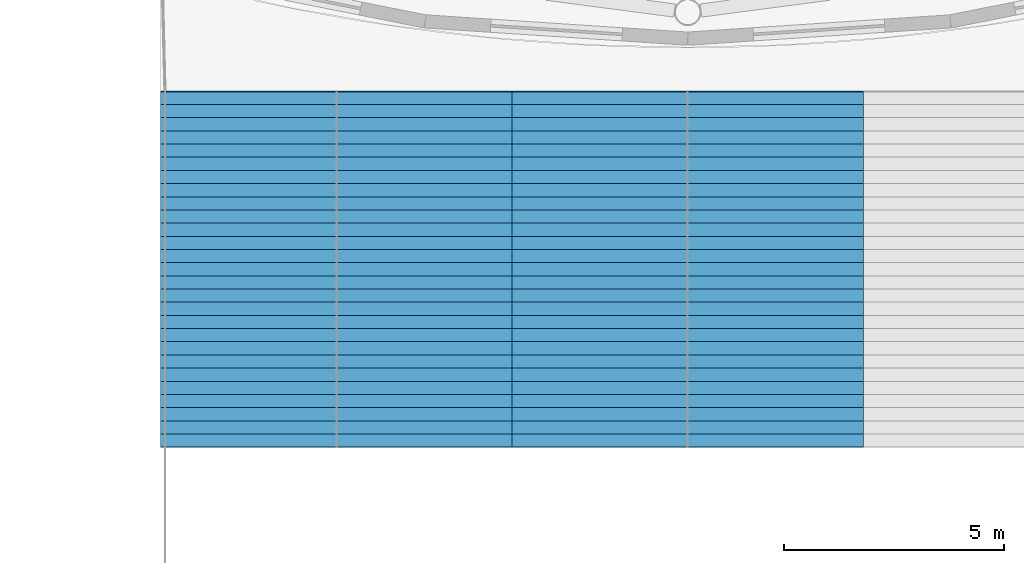
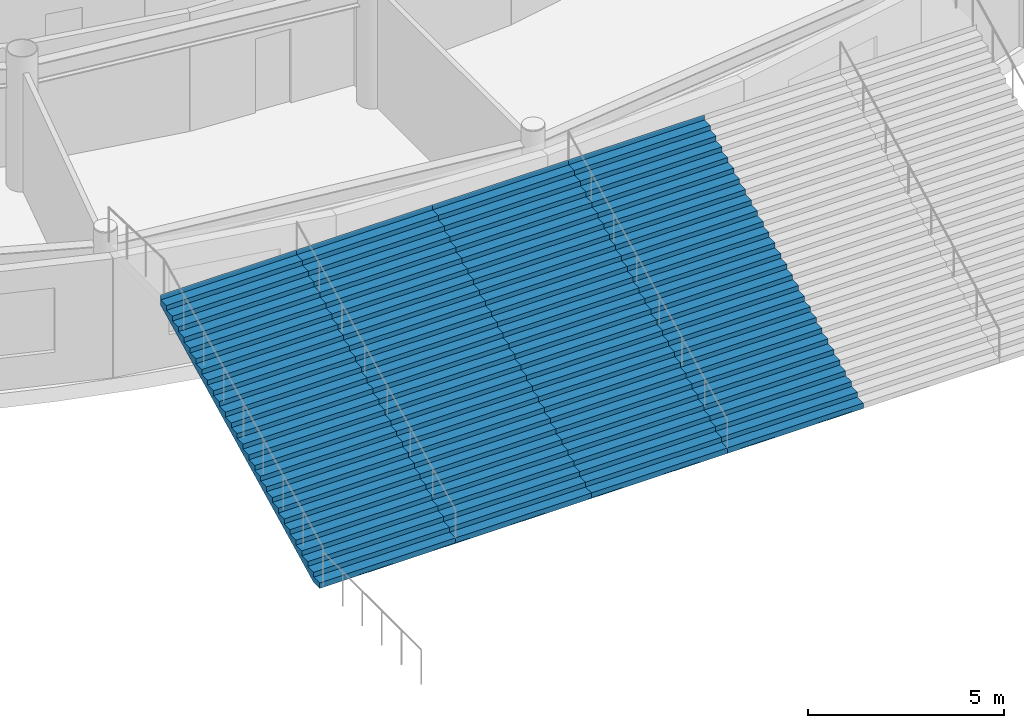
# One storey, part 25 of 29: 4 stair flights, 4 elements without a shape of their own.
"""IFC4 building model written with IfcOpenShell, lengths in metres."""

from ifc_helpers import new_model, si_unit, direction, frame, origin, place, context, subcontext, project, spatial, triangles, material, type_object, element, aggregate, save


model = new_model("IFC4")

# Units and contexts
model_context = context("Model", 3, precision=1e-05, world=origin(), true_north=direction((0.0, 1.0)))
body_context = subcontext(model_context, "Body", "Model", "MODEL_VIEW")
ifc_project = project(units=[si_unit("LENGTHUNIT", "METRE"), si_unit("AREAUNIT", "SQUARE_METRE"), si_unit("VOLUMEUNIT", "CUBIC_METRE"), si_unit("PLANEANGLEUNIT", "RADIAN"), si_unit("MASSUNIT", "GRAM", prefix="KILO")], contexts=[model_context])

# Site, building, storey
site_placement = place(None, origin())
site = spatial("IfcSite", under=ifc_project, at=site_placement, CompositionType="ELEMENT")
building_placement = place(site_placement, origin())
building = spatial("IfcBuilding", under=site, at=building_placement, Name="Maasbend Ring Residences", CompositionType="ELEMENT")
storey_placement = place(building_placement, frame((0.0, 0.0, 5.39990234375)))
storey = spatial("IfcBuildingStorey", under=building, at=storey_placement, Name="L01", CompositionType="ELEMENT", Elevation=5.39990234375)

# Stair, stair flight
ifc_material_1 = material(Name="Concrete C35/45", Category="concrete")
stair_type = type_object("IfcStairType", Name="ST-BROAD", PredefinedType="STRAIGHT_RUN_STAIR", material=ifc_material_1)
stair_1_placement = place(storey_placement, origin())
stair_1 = element("IfcStair", 1, at=stair_1_placement, inside=storey, type_object=stair_type, Name="Broad stair upper flight A", PredefinedType="STRAIGHT_RUN_STAIR")
ifc_material_2 = material(Name="Concrete C35/45", Category="concrete")
stair_flight_type = type_object("IfcStairFlightType", Name="ST-BROAD-FL", PredefinedType="STRAIGHT", material=ifc_material_2)
stair_flight_1_placement = place(storey_placement, frame((-10.0, -55.10009765625, 0.0), z_axis=(0.0, 0.0, 1.0), x_axis=(0.0, 1.0, 0.0)))
stair_flight_1 = element("IfcStairFlight", 2, at=stair_flight_1_placement, type_object=stair_flight_type, Name="ST-B flight 1", NumberOfRisers=28, NumberOfTreads=27, PredefinedType="STRAIGHT", RiserHeight=0.15, TreadLength=0.3, context=body_context, shape_type="Tessellation", body=[
    triangles([(0.298095703125, 2.0, -0.02001953125), (8.10302734375, 2.0, 3.88232421875), (8.10302734375, 2.0, 4.199951171875), (8.090087890625, 2.0, 4.050048828125), (7.800048828125, 2.0, 4.050048828125), (7.800048828125, 2.0, 3.89990234375), (7.5, 2.0, 3.89990234375), (7.5, 2.0, 3.75), (7.199951171875, 2.0, 3.75), (7.199951171875, 2.0, 3.60009765625), (6.89990234375, 2.0, 3.60009765625), (6.89990234375, 2.0, 3.449951171875), (6.60009765625, 2.0, 3.449951171875), (6.60009765625, 2.0, 3.300048828125), (6.300048828125, 2.0, 3.300048828125), (6.300048828125, 2.0, 3.14990234375), (6.0, 2.0, 3.14990234375), (6.0, 2.0, 3.0), (5.699951171875, 2.0, 3.0), (5.699951171875, 2.0, 2.85009765625), (5.39990234375, 2.0, 2.85009765625), (5.39990234375, 2.0, 2.699951171875), (5.10009765625, 2.0, 2.699951171875), (5.10009765625, 2.0, 2.550048828125), (4.800048828125, 2.0, 2.550048828125), (4.800048828125, 2.0, 2.39990234375), (4.5, 2.0, 2.39990234375), (4.5, 2.0, 2.25), (4.199951171875, 2.0, 2.25), (4.199951171875, 2.0, 2.10009765625), (3.89990234375, 2.0, 2.10009765625), (3.89990234375, 2.0, 1.949951171875), (3.60009765625, 2.0, 1.949951171875), (3.60009765625, 2.0, 1.800048828125), (3.300048828125, 2.0, 1.800048828125), (3.300048828125, 2.0, 1.64990234375), (3.0, 2.0, 1.64990234375), (3.0, 2.0, 1.5), (2.699951171875, 2.0, 1.5), (2.699951171875, 2.0, 1.35009765625), (2.39990234375, 2.0, 1.35009765625), (2.39990234375, 2.0, 1.199951171875), (2.10009765625, 2.0, 1.199951171875), (2.10009765625, 2.0, 1.050048828125), (1.800048828125, 2.0, 1.050048828125), (1.800048828125, 2.0, 0.89990234375), (1.5, 2.0, 0.89990234375), (1.5, 2.0, 0.75), (1.199951171875, 2.0, 0.75), (1.199951171875, 2.0, 0.60009765625), (0.89990234375, 2.0, 0.60009765625), (0.89990234375, 2.0, 0.449951171875), (0.60009765625, 2.0, 0.449951171875), (0.60009765625, 2.0, 0.300048828125), (0.300048828125, 2.0, 0.300048828125), (0.300048828125, 2.0, 0.14990234375), (0.0, 2.0, 0.14990234375), (0.0, 2.0, 0.0), (-0.0029296875, 2.0, 0.0), (-0.0029296875, 2.0, -0.02001953125), (0.298095703125, -2.0, -0.02001953125), (8.10302734375, -2.0, 3.88232421875), (8.10302734375, -2.0, 4.199951171875), (8.090087890625, -2.0, 4.050048828125), (7.800048828125, -2.0, 4.050048828125), (7.800048828125, -2.0, 3.89990234375), (7.5, -2.0, 3.89990234375), (7.5, -2.0, 3.75), (7.199951171875, -2.0, 3.75), (7.199951171875, -2.0, 3.60009765625), (6.89990234375, -2.0, 3.60009765625), (6.89990234375, -2.0, 3.449951171875), (6.60009765625, -2.0, 3.449951171875), (6.60009765625, -2.0, 3.300048828125), (6.300048828125, -2.0, 3.300048828125), (6.300048828125, -2.0, 3.14990234375), (6.0, -2.0, 3.14990234375), (6.0, -2.0, 3.0), (5.699951171875, -2.0, 3.0), (5.699951171875, -2.0, 2.85009765625), (5.39990234375, -2.0, 2.85009765625), (5.39990234375, -2.0, 2.699951171875), (5.10009765625, -2.0, 2.699951171875), (5.10009765625, -2.0, 2.550048828125), (4.800048828125, -2.0, 2.550048828125), (4.800048828125, -2.0, 2.39990234375), (4.5, -2.0, 2.39990234375), (4.5, -2.0, 2.25), (4.199951171875, -2.0, 2.25), (4.199951171875, -2.0, 2.10009765625), (3.89990234375, -2.0, 2.10009765625), (3.89990234375, -2.0, 1.949951171875), (3.60009765625, -2.0, 1.949951171875), (3.60009765625, -2.0, 1.800048828125), (3.300048828125, -2.0, 1.800048828125), (3.300048828125, -2.0, 1.64990234375), (3.0, -2.0, 1.64990234375), (3.0, -2.0, 1.5), (2.699951171875, -2.0, 1.5), (2.699951171875, -2.0, 1.35009765625), (2.39990234375, -2.0, 1.35009765625), (2.39990234375, -2.0, 1.199951171875), (2.10009765625, -2.0, 1.199951171875), (2.10009765625, -2.0, 1.050048828125), (1.800048828125, -2.0, 1.050048828125), (1.800048828125, -2.0, 0.89990234375), (1.5, -2.0, 0.89990234375), (1.5, -2.0, 0.75), (1.199951171875, -2.0, 0.75), (1.199951171875, -2.0, 0.60009765625), (0.89990234375, -2.0, 0.60009765625), (0.89990234375, -2.0, 0.449951171875), (0.60009765625, -2.0, 0.449951171875), (0.60009765625, -2.0, 0.300048828125), (0.300048828125, -2.0, 0.300048828125), (0.300048828125, -2.0, 0.14990234375), (0.0, -2.0, 0.14990234375), (0.0, -2.0, 0.0), (-0.0029296875, -2.0, 0.0), (-0.0029296875, -2.0, -0.02001953125)], [[1, 2, 62], [1, 62, 61], [2, 3, 63], [2, 63, 62], [3, 4, 64], [3, 64, 63], [4, 5, 65], [4, 65, 64], [5, 6, 66], [5, 66, 65], [6, 7, 67], [6, 67, 66], [7, 8, 68], [7, 68, 67], [8, 9, 69], [8, 69, 68], [9, 10, 70], [9, 70, 69], [10, 11, 71], [10, 71, 70], [11, 12, 72], [11, 72, 71], [12, 13, 73], [12, 73, 72], [13, 14, 74], [13, 74, 73], [14, 15, 75], [14, 75, 74], [15, 16, 76], [15, 76, 75], [16, 17, 77], [16, 77, 76], [17, 18, 78], [17, 78, 77], [18, 19, 79], [18, 79, 78], [19, 20, 80], [19, 80, 79], [20, 21, 81], [20, 81, 80], [21, 22, 82], [21, 82, 81], [22, 23, 83], [22, 83, 82], [23, 24, 84], [23, 84, 83], [24, 25, 85], [24, 85, 84], [25, 26, 86], [25, 86, 85], [26, 27, 87], [26, 87, 86], [27, 28, 88], [27, 88, 87], [28, 29, 89], [28, 89, 88], [29, 30, 90], [29, 90, 89], [30, 31, 91], [30, 91, 90], [31, 32, 92], [31, 92, 91], [32, 33, 93], [32, 93, 92], [33, 34, 94], [33, 94, 93], [34, 35, 95], [34, 95, 94], [35, 36, 96], [35, 96, 95], [36, 37, 97], [36, 97, 96], [37, 38, 98], [37, 98, 97], [38, 39, 99], [38, 99, 98], [39, 40, 100], [39, 100, 99], [40, 41, 101], [40, 101, 100], [41, 42, 102], [41, 102, 101], [42, 43, 103], [42, 103, 102], [43, 44, 104], [43, 104, 103], [44, 45, 105], [44, 105, 104], [45, 46, 106], [45, 106, 105], [46, 47, 107], [46, 107, 106], [47, 48, 108], [47, 108, 107], [48, 49, 109], [48, 109, 108], [49, 50, 110], [49, 110, 109], [50, 51, 111], [50, 111, 110], [51, 52, 112], [51, 112, 111], [52, 53, 113], [52, 113, 112], [53, 54, 114], [53, 114, 113], [54, 55, 115], [54, 115, 114], [55, 56, 116], [55, 116, 115], [56, 57, 117], [56, 117, 116], [57, 58, 118], [57, 118, 117], [58, 59, 119], [58, 119, 118], [59, 60, 120], [59, 120, 119], [60, 1, 61], [60, 61, 120], [60, 2, 1], [2, 4, 3], [2, 5, 4], [2, 6, 5], [60, 6, 2], [6, 8, 7], [60, 8, 6], [8, 10, 9], [60, 10, 8], [10, 12, 11], [60, 12, 10], [12, 14, 13], [60, 14, 12], [14, 16, 15], [60, 16, 14], [16, 18, 17], [60, 18, 16], [18, 20, 19], [60, 20, 18], [20, 22, 21], [60, 22, 20], [22, 24, 23], [60, 24, 22], [24, 26, 25], [60, 26, 24], [26, 28, 27], [60, 28, 26], [28, 30, 29], [60, 30, 28], [30, 32, 31], [60, 32, 30], [32, 34, 33], [60, 34, 32], [34, 36, 35], [60, 36, 34], [36, 38, 37], [60, 38, 36], [38, 40, 39], [60, 40, 38], [40, 42, 41], [60, 42, 40], [42, 44, 43], [60, 44, 42], [44, 46, 45], [60, 46, 44], [46, 48, 47], [60, 48, 46], [48, 50, 49], [60, 50, 48], [50, 52, 51], [60, 52, 50], [52, 54, 53], [60, 54, 52], [54, 56, 55], [60, 56, 54], [56, 58, 57], [60, 58, 56], [58, 60, 59], [120, 61, 62], [62, 63, 64], [62, 64, 65], [62, 65, 66], [120, 62, 66], [66, 67, 68], [120, 66, 68], [68, 69, 70], [120, 68, 70], [70, 71, 72], [120, 70, 72], [72, 73, 74], [120, 72, 74], [74, 75, 76], [120, 74, 76], [76, 77, 78], [120, 76, 78], [78, 79, 80], [120, 78, 80], [80, 81, 82], [120, 80, 82], [82, 83, 84], [120, 82, 84], [84, 85, 86], [120, 84, 86], [86, 87, 88], [120, 86, 88], [88, 89, 90], [120, 88, 90], [90, 91, 92], [120, 90, 92], [92, 93, 94], [120, 92, 94], [94, 95, 96], [120, 94, 96], [96, 97, 98], [120, 96, 98], [98, 99, 100], [120, 98, 100], [100, 101, 102], [120, 100, 102], [102, 103, 104], [120, 102, 104], [104, 105, 106], [120, 104, 106], [106, 107, 108], [120, 106, 108], [108, 109, 110], [120, 108, 110], [110, 111, 112], [120, 110, 112], [112, 113, 114], [120, 112, 114], [114, 115, 116], [120, 114, 116], [116, 117, 118], [120, 116, 118], [118, 119, 120]], closed=True),
])
aggregate(stair_1, [stair_flight_1])

stair_2_placement = place(storey_placement, origin())
stair_2 = element("IfcStair", 3, at=stair_2_placement, inside=storey, type_object=stair_type, Name="Broad stair upper flight B", PredefinedType="STRAIGHT_RUN_STAIR")
stair_flight_2_placement = place(storey_placement, frame((-6.0, -55.10009765625, 0.0), z_axis=(0.0, 0.0, 1.0), x_axis=(0.0, 1.0, 0.0)))
stair_flight_2 = element("IfcStairFlight", 4, at=stair_flight_2_placement, type_object=stair_flight_type, Name="ST-B flight 1", NumberOfRisers=28, NumberOfTreads=27, PredefinedType="STRAIGHT", RiserHeight=0.15, TreadLength=0.3, context=body_context, shape_type="Tessellation", body=[
    triangles([(0.298095703125, 2.0, -0.02001953125), (8.10302734375, 2.0, 3.88232421875), (8.10302734375, 2.0, 4.199951171875), (8.090087890625, 2.0, 4.050048828125), (7.800048828125, 2.0, 4.050048828125), (7.800048828125, 2.0, 3.89990234375), (7.5, 2.0, 3.89990234375), (7.5, 2.0, 3.75), (7.199951171875, 2.0, 3.75), (7.199951171875, 2.0, 3.60009765625), (6.89990234375, 2.0, 3.60009765625), (6.89990234375, 2.0, 3.449951171875), (6.60009765625, 2.0, 3.449951171875), (6.60009765625, 2.0, 3.300048828125), (6.300048828125, 2.0, 3.300048828125), (6.300048828125, 2.0, 3.14990234375), (6.0, 2.0, 3.14990234375), (6.0, 2.0, 3.0), (5.699951171875, 2.0, 3.0), (5.699951171875, 2.0, 2.85009765625), (5.39990234375, 2.0, 2.85009765625), (5.39990234375, 2.0, 2.699951171875), (5.10009765625, 2.0, 2.699951171875), (5.10009765625, 2.0, 2.550048828125), (4.800048828125, 2.0, 2.550048828125), (4.800048828125, 2.0, 2.39990234375), (4.5, 2.0, 2.39990234375), (4.5, 2.0, 2.25), (4.199951171875, 2.0, 2.25), (4.199951171875, 2.0, 2.10009765625), (3.89990234375, 2.0, 2.10009765625), (3.89990234375, 2.0, 1.949951171875), (3.60009765625, 2.0, 1.949951171875), (3.60009765625, 2.0, 1.800048828125), (3.300048828125, 2.0, 1.800048828125), (3.300048828125, 2.0, 1.64990234375), (3.0, 2.0, 1.64990234375), (3.0, 2.0, 1.5), (2.699951171875, 2.0, 1.5), (2.699951171875, 2.0, 1.35009765625), (2.39990234375, 2.0, 1.35009765625), (2.39990234375, 2.0, 1.199951171875), (2.10009765625, 2.0, 1.199951171875), (2.10009765625, 2.0, 1.050048828125), (1.800048828125, 2.0, 1.050048828125), (1.800048828125, 2.0, 0.89990234375), (1.5, 2.0, 0.89990234375), (1.5, 2.0, 0.75), (1.199951171875, 2.0, 0.75), (1.199951171875, 2.0, 0.60009765625), (0.89990234375, 2.0, 0.60009765625), (0.89990234375, 2.0, 0.449951171875), (0.60009765625, 2.0, 0.449951171875), (0.60009765625, 2.0, 0.300048828125), (0.300048828125, 2.0, 0.300048828125), (0.300048828125, 2.0, 0.14990234375), (0.0, 2.0, 0.14990234375), (0.0, 2.0, 0.0), (-0.0029296875, 2.0, 0.0), (-0.0029296875, 2.0, -0.02001953125), (0.298095703125, -2.0, -0.02001953125), (8.10302734375, -2.0, 3.88232421875), (8.10302734375, -2.0, 4.199951171875), (8.090087890625, -2.0, 4.050048828125), (7.800048828125, -2.0, 4.050048828125), (7.800048828125, -2.0, 3.89990234375), (7.5, -2.0, 3.89990234375), (7.5, -2.0, 3.75), (7.199951171875, -2.0, 3.75), (7.199951171875, -2.0, 3.60009765625), (6.89990234375, -2.0, 3.60009765625), (6.89990234375, -2.0, 3.449951171875), (6.60009765625, -2.0, 3.449951171875), (6.60009765625, -2.0, 3.300048828125), (6.300048828125, -2.0, 3.300048828125), (6.300048828125, -2.0, 3.14990234375), (6.0, -2.0, 3.14990234375), (6.0, -2.0, 3.0), (5.699951171875, -2.0, 3.0), (5.699951171875, -2.0, 2.85009765625), (5.39990234375, -2.0, 2.85009765625), (5.39990234375, -2.0, 2.699951171875), (5.10009765625, -2.0, 2.699951171875), (5.10009765625, -2.0, 2.550048828125), (4.800048828125, -2.0, 2.550048828125), (4.800048828125, -2.0, 2.39990234375), (4.5, -2.0, 2.39990234375), (4.5, -2.0, 2.25), (4.199951171875, -2.0, 2.25), (4.199951171875, -2.0, 2.10009765625), (3.89990234375, -2.0, 2.10009765625), (3.89990234375, -2.0, 1.949951171875), (3.60009765625, -2.0, 1.949951171875), (3.60009765625, -2.0, 1.800048828125), (3.300048828125, -2.0, 1.800048828125), (3.300048828125, -2.0, 1.64990234375), (3.0, -2.0, 1.64990234375), (3.0, -2.0, 1.5), (2.699951171875, -2.0, 1.5), (2.699951171875, -2.0, 1.35009765625), (2.39990234375, -2.0, 1.35009765625), (2.39990234375, -2.0, 1.199951171875), (2.10009765625, -2.0, 1.199951171875), (2.10009765625, -2.0, 1.050048828125), (1.800048828125, -2.0, 1.050048828125), (1.800048828125, -2.0, 0.89990234375), (1.5, -2.0, 0.89990234375), (1.5, -2.0, 0.75), (1.199951171875, -2.0, 0.75), (1.199951171875, -2.0, 0.60009765625), (0.89990234375, -2.0, 0.60009765625), (0.89990234375, -2.0, 0.449951171875), (0.60009765625, -2.0, 0.449951171875), (0.60009765625, -2.0, 0.300048828125), (0.300048828125, -2.0, 0.300048828125), (0.300048828125, -2.0, 0.14990234375), (0.0, -2.0, 0.14990234375), (0.0, -2.0, 0.0), (-0.0029296875, -2.0, 0.0), (-0.0029296875, -2.0, -0.02001953125)], [[1, 2, 62], [1, 62, 61], [2, 3, 63], [2, 63, 62], [3, 4, 64], [3, 64, 63], [4, 5, 65], [4, 65, 64], [5, 6, 66], [5, 66, 65], [6, 7, 67], [6, 67, 66], [7, 8, 68], [7, 68, 67], [8, 9, 69], [8, 69, 68], [9, 10, 70], [9, 70, 69], [10, 11, 71], [10, 71, 70], [11, 12, 72], [11, 72, 71], [12, 13, 73], [12, 73, 72], [13, 14, 74], [13, 74, 73], [14, 15, 75], [14, 75, 74], [15, 16, 76], [15, 76, 75], [16, 17, 77], [16, 77, 76], [17, 18, 78], [17, 78, 77], [18, 19, 79], [18, 79, 78], [19, 20, 80], [19, 80, 79], [20, 21, 81], [20, 81, 80], [21, 22, 82], [21, 82, 81], [22, 23, 83], [22, 83, 82], [23, 24, 84], [23, 84, 83], [24, 25, 85], [24, 85, 84], [25, 26, 86], [25, 86, 85], [26, 27, 87], [26, 87, 86], [27, 28, 88], [27, 88, 87], [28, 29, 89], [28, 89, 88], [29, 30, 90], [29, 90, 89], [30, 31, 91], [30, 91, 90], [31, 32, 92], [31, 92, 91], [32, 33, 93], [32, 93, 92], [33, 34, 94], [33, 94, 93], [34, 35, 95], [34, 95, 94], [35, 36, 96], [35, 96, 95], [36, 37, 97], [36, 97, 96], [37, 38, 98], [37, 98, 97], [38, 39, 99], [38, 99, 98], [39, 40, 100], [39, 100, 99], [40, 41, 101], [40, 101, 100], [41, 42, 102], [41, 102, 101], [42, 43, 103], [42, 103, 102], [43, 44, 104], [43, 104, 103], [44, 45, 105], [44, 105, 104], [45, 46, 106], [45, 106, 105], [46, 47, 107], [46, 107, 106], [47, 48, 108], [47, 108, 107], [48, 49, 109], [48, 109, 108], [49, 50, 110], [49, 110, 109], [50, 51, 111], [50, 111, 110], [51, 52, 112], [51, 112, 111], [52, 53, 113], [52, 113, 112], [53, 54, 114], [53, 114, 113], [54, 55, 115], [54, 115, 114], [55, 56, 116], [55, 116, 115], [56, 57, 117], [56, 117, 116], [57, 58, 118], [57, 118, 117], [58, 59, 119], [58, 119, 118], [59, 60, 120], [59, 120, 119], [60, 1, 61], [60, 61, 120], [60, 2, 1], [2, 4, 3], [2, 5, 4], [2, 6, 5], [60, 6, 2], [6, 8, 7], [60, 8, 6], [8, 10, 9], [60, 10, 8], [10, 12, 11], [60, 12, 10], [12, 14, 13], [60, 14, 12], [14, 16, 15], [60, 16, 14], [16, 18, 17], [60, 18, 16], [18, 20, 19], [60, 20, 18], [20, 22, 21], [60, 22, 20], [22, 24, 23], [60, 24, 22], [24, 26, 25], [60, 26, 24], [26, 28, 27], [60, 28, 26], [28, 30, 29], [60, 30, 28], [30, 32, 31], [60, 32, 30], [32, 34, 33], [60, 34, 32], [34, 36, 35], [60, 36, 34], [36, 38, 37], [60, 38, 36], [38, 40, 39], [60, 40, 38], [40, 42, 41], [60, 42, 40], [42, 44, 43], [60, 44, 42], [44, 46, 45], [60, 46, 44], [46, 48, 47], [60, 48, 46], [48, 50, 49], [60, 50, 48], [50, 52, 51], [60, 52, 50], [52, 54, 53], [60, 54, 52], [54, 56, 55], [60, 56, 54], [56, 58, 57], [60, 58, 56], [58, 60, 59], [120, 61, 62], [62, 63, 64], [62, 64, 65], [62, 65, 66], [120, 62, 66], [66, 67, 68], [120, 66, 68], [68, 69, 70], [120, 68, 70], [70, 71, 72], [120, 70, 72], [72, 73, 74], [120, 72, 74], [74, 75, 76], [120, 74, 76], [76, 77, 78], [120, 76, 78], [78, 79, 80], [120, 78, 80], [80, 81, 82], [120, 80, 82], [82, 83, 84], [120, 82, 84], [84, 85, 86], [120, 84, 86], [86, 87, 88], [120, 86, 88], [88, 89, 90], [120, 88, 90], [90, 91, 92], [120, 90, 92], [92, 93, 94], [120, 92, 94], [94, 95, 96], [120, 94, 96], [96, 97, 98], [120, 96, 98], [98, 99, 100], [120, 98, 100], [100, 101, 102], [120, 100, 102], [102, 103, 104], [120, 102, 104], [104, 105, 106], [120, 104, 106], [106, 107, 108], [120, 106, 108], [108, 109, 110], [120, 108, 110], [110, 111, 112], [120, 110, 112], [112, 113, 114], [120, 112, 114], [114, 115, 116], [120, 114, 116], [116, 117, 118], [120, 116, 118], [118, 119, 120]], closed=True),
])
aggregate(stair_2, [stair_flight_2])

stair_3_placement = place(storey_placement, origin())
stair_3 = element("IfcStair", 5, at=stair_3_placement, inside=storey, type_object=stair_type, Name="Broad stair upper flight C", PredefinedType="STRAIGHT_RUN_STAIR")
stair_flight_3_placement = place(storey_placement, frame((-2.0, -55.10009765625, 0.0), z_axis=(0.0, 0.0, 1.0), x_axis=(0.0, 1.0, 0.0)))
stair_flight_3 = element("IfcStairFlight", 6, at=stair_flight_3_placement, type_object=stair_flight_type, Name="ST-B flight 1", NumberOfRisers=28, NumberOfTreads=27, PredefinedType="STRAIGHT", RiserHeight=0.15, TreadLength=0.3, context=body_context, shape_type="Tessellation", body=[
    triangles([(0.298095703125, 2.0, -0.02001953125), (8.10302734375, 2.0, 3.88232421875), (8.10302734375, 2.0, 4.199951171875), (8.090087890625, 2.0, 4.050048828125), (7.800048828125, 2.0, 4.050048828125), (7.800048828125, 2.0, 3.89990234375), (7.5, 2.0, 3.89990234375), (7.5, 2.0, 3.75), (7.199951171875, 2.0, 3.75), (7.199951171875, 2.0, 3.60009765625), (6.89990234375, 2.0, 3.60009765625), (6.89990234375, 2.0, 3.449951171875), (6.60009765625, 2.0, 3.449951171875), (6.60009765625, 2.0, 3.300048828125), (6.300048828125, 2.0, 3.300048828125), (6.300048828125, 2.0, 3.14990234375), (6.0, 2.0, 3.14990234375), (6.0, 2.0, 3.0), (5.699951171875, 2.0, 3.0), (5.699951171875, 2.0, 2.85009765625), (5.39990234375, 2.0, 2.85009765625), (5.39990234375, 2.0, 2.699951171875), (5.10009765625, 2.0, 2.699951171875), (5.10009765625, 2.0, 2.550048828125), (4.800048828125, 2.0, 2.550048828125), (4.800048828125, 2.0, 2.39990234375), (4.5, 2.0, 2.39990234375), (4.5, 2.0, 2.25), (4.199951171875, 2.0, 2.25), (4.199951171875, 2.0, 2.10009765625), (3.89990234375, 2.0, 2.10009765625), (3.89990234375, 2.0, 1.949951171875), (3.60009765625, 2.0, 1.949951171875), (3.60009765625, 2.0, 1.800048828125), (3.300048828125, 2.0, 1.800048828125), (3.300048828125, 2.0, 1.64990234375), (3.0, 2.0, 1.64990234375), (3.0, 2.0, 1.5), (2.699951171875, 2.0, 1.5), (2.699951171875, 2.0, 1.35009765625), (2.39990234375, 2.0, 1.35009765625), (2.39990234375, 2.0, 1.199951171875), (2.10009765625, 2.0, 1.199951171875), (2.10009765625, 2.0, 1.050048828125), (1.800048828125, 2.0, 1.050048828125), (1.800048828125, 2.0, 0.89990234375), (1.5, 2.0, 0.89990234375), (1.5, 2.0, 0.75), (1.199951171875, 2.0, 0.75), (1.199951171875, 2.0, 0.60009765625), (0.89990234375, 2.0, 0.60009765625), (0.89990234375, 2.0, 0.449951171875), (0.60009765625, 2.0, 0.449951171875), (0.60009765625, 2.0, 0.300048828125), (0.300048828125, 2.0, 0.300048828125), (0.300048828125, 2.0, 0.14990234375), (0.0, 2.0, 0.14990234375), (0.0, 2.0, 0.0), (-0.0029296875, 2.0, 0.0), (-0.0029296875, 2.0, -0.02001953125), (0.298095703125, -2.0, -0.02001953125), (8.10302734375, -2.0, 3.88232421875), (8.10302734375, -2.0, 4.199951171875), (8.090087890625, -2.0, 4.050048828125), (7.800048828125, -2.0, 4.050048828125), (7.800048828125, -2.0, 3.89990234375), (7.5, -2.0, 3.89990234375), (7.5, -2.0, 3.75), (7.199951171875, -2.0, 3.75), (7.199951171875, -2.0, 3.60009765625), (6.89990234375, -2.0, 3.60009765625), (6.89990234375, -2.0, 3.449951171875), (6.60009765625, -2.0, 3.449951171875), (6.60009765625, -2.0, 3.300048828125), (6.300048828125, -2.0, 3.300048828125), (6.300048828125, -2.0, 3.14990234375), (6.0, -2.0, 3.14990234375), (6.0, -2.0, 3.0), (5.699951171875, -2.0, 3.0), (5.699951171875, -2.0, 2.85009765625), (5.39990234375, -2.0, 2.85009765625), (5.39990234375, -2.0, 2.699951171875), (5.10009765625, -2.0, 2.699951171875), (5.10009765625, -2.0, 2.550048828125), (4.800048828125, -2.0, 2.550048828125), (4.800048828125, -2.0, 2.39990234375), (4.5, -2.0, 2.39990234375), (4.5, -2.0, 2.25), (4.199951171875, -2.0, 2.25), (4.199951171875, -2.0, 2.10009765625), (3.89990234375, -2.0, 2.10009765625), (3.89990234375, -2.0, 1.949951171875), (3.60009765625, -2.0, 1.949951171875), (3.60009765625, -2.0, 1.800048828125), (3.300048828125, -2.0, 1.800048828125), (3.300048828125, -2.0, 1.64990234375), (3.0, -2.0, 1.64990234375), (3.0, -2.0, 1.5), (2.699951171875, -2.0, 1.5), (2.699951171875, -2.0, 1.35009765625), (2.39990234375, -2.0, 1.35009765625), (2.39990234375, -2.0, 1.199951171875), (2.10009765625, -2.0, 1.199951171875), (2.10009765625, -2.0, 1.050048828125), (1.800048828125, -2.0, 1.050048828125), (1.800048828125, -2.0, 0.89990234375), (1.5, -2.0, 0.89990234375), (1.5, -2.0, 0.75), (1.199951171875, -2.0, 0.75), (1.199951171875, -2.0, 0.60009765625), (0.89990234375, -2.0, 0.60009765625), (0.89990234375, -2.0, 0.449951171875), (0.60009765625, -2.0, 0.449951171875), (0.60009765625, -2.0, 0.300048828125), (0.300048828125, -2.0, 0.300048828125), (0.300048828125, -2.0, 0.14990234375), (0.0, -2.0, 0.14990234375), (0.0, -2.0, 0.0), (-0.0029296875, -2.0, 0.0), (-0.0029296875, -2.0, -0.02001953125)], [[1, 2, 62], [1, 62, 61], [2, 3, 63], [2, 63, 62], [3, 4, 64], [3, 64, 63], [4, 5, 65], [4, 65, 64], [5, 6, 66], [5, 66, 65], [6, 7, 67], [6, 67, 66], [7, 8, 68], [7, 68, 67], [8, 9, 69], [8, 69, 68], [9, 10, 70], [9, 70, 69], [10, 11, 71], [10, 71, 70], [11, 12, 72], [11, 72, 71], [12, 13, 73], [12, 73, 72], [13, 14, 74], [13, 74, 73], [14, 15, 75], [14, 75, 74], [15, 16, 76], [15, 76, 75], [16, 17, 77], [16, 77, 76], [17, 18, 78], [17, 78, 77], [18, 19, 79], [18, 79, 78], [19, 20, 80], [19, 80, 79], [20, 21, 81], [20, 81, 80], [21, 22, 82], [21, 82, 81], [22, 23, 83], [22, 83, 82], [23, 24, 84], [23, 84, 83], [24, 25, 85], [24, 85, 84], [25, 26, 86], [25, 86, 85], [26, 27, 87], [26, 87, 86], [27, 28, 88], [27, 88, 87], [28, 29, 89], [28, 89, 88], [29, 30, 90], [29, 90, 89], [30, 31, 91], [30, 91, 90], [31, 32, 92], [31, 92, 91], [32, 33, 93], [32, 93, 92], [33, 34, 94], [33, 94, 93], [34, 35, 95], [34, 95, 94], [35, 36, 96], [35, 96, 95], [36, 37, 97], [36, 97, 96], [37, 38, 98], [37, 98, 97], [38, 39, 99], [38, 99, 98], [39, 40, 100], [39, 100, 99], [40, 41, 101], [40, 101, 100], [41, 42, 102], [41, 102, 101], [42, 43, 103], [42, 103, 102], [43, 44, 104], [43, 104, 103], [44, 45, 105], [44, 105, 104], [45, 46, 106], [45, 106, 105], [46, 47, 107], [46, 107, 106], [47, 48, 108], [47, 108, 107], [48, 49, 109], [48, 109, 108], [49, 50, 110], [49, 110, 109], [50, 51, 111], [50, 111, 110], [51, 52, 112], [51, 112, 111], [52, 53, 113], [52, 113, 112], [53, 54, 114], [53, 114, 113], [54, 55, 115], [54, 115, 114], [55, 56, 116], [55, 116, 115], [56, 57, 117], [56, 117, 116], [57, 58, 118], [57, 118, 117], [58, 59, 119], [58, 119, 118], [59, 60, 120], [59, 120, 119], [60, 1, 61], [60, 61, 120], [60, 2, 1], [2, 4, 3], [2, 5, 4], [2, 6, 5], [60, 6, 2], [6, 8, 7], [60, 8, 6], [8, 10, 9], [60, 10, 8], [10, 12, 11], [60, 12, 10], [12, 14, 13], [60, 14, 12], [14, 16, 15], [60, 16, 14], [16, 18, 17], [60, 18, 16], [18, 20, 19], [60, 20, 18], [20, 22, 21], [60, 22, 20], [22, 24, 23], [60, 24, 22], [24, 26, 25], [60, 26, 24], [26, 28, 27], [60, 28, 26], [28, 30, 29], [60, 30, 28], [30, 32, 31], [60, 32, 30], [32, 34, 33], [60, 34, 32], [34, 36, 35], [60, 36, 34], [36, 38, 37], [60, 38, 36], [38, 40, 39], [60, 40, 38], [40, 42, 41], [60, 42, 40], [42, 44, 43], [60, 44, 42], [44, 46, 45], [60, 46, 44], [46, 48, 47], [60, 48, 46], [48, 50, 49], [60, 50, 48], [50, 52, 51], [60, 52, 50], [52, 54, 53], [60, 54, 52], [54, 56, 55], [60, 56, 54], [56, 58, 57], [60, 58, 56], [58, 60, 59], [120, 61, 62], [62, 63, 64], [62, 64, 65], [62, 65, 66], [120, 62, 66], [66, 67, 68], [120, 66, 68], [68, 69, 70], [120, 68, 70], [70, 71, 72], [120, 70, 72], [72, 73, 74], [120, 72, 74], [74, 75, 76], [120, 74, 76], [76, 77, 78], [120, 76, 78], [78, 79, 80], [120, 78, 80], [80, 81, 82], [120, 80, 82], [82, 83, 84], [120, 82, 84], [84, 85, 86], [120, 84, 86], [86, 87, 88], [120, 86, 88], [88, 89, 90], [120, 88, 90], [90, 91, 92], [120, 90, 92], [92, 93, 94], [120, 92, 94], [94, 95, 96], [120, 94, 96], [96, 97, 98], [120, 96, 98], [98, 99, 100], [120, 98, 100], [100, 101, 102], [120, 100, 102], [102, 103, 104], [120, 102, 104], [104, 105, 106], [120, 104, 106], [106, 107, 108], [120, 106, 108], [108, 109, 110], [120, 108, 110], [110, 111, 112], [120, 110, 112], [112, 113, 114], [120, 112, 114], [114, 115, 116], [120, 114, 116], [116, 117, 118], [120, 116, 118], [118, 119, 120]], closed=True),
])
aggregate(stair_3, [stair_flight_3])

stair_4_placement = place(storey_placement, origin())
stair_4 = element("IfcStair", 7, at=stair_4_placement, inside=storey, type_object=stair_type, Name="Broad stair upper flight D", PredefinedType="STRAIGHT_RUN_STAIR")
stair_flight_4_placement = place(storey_placement, frame((2.0, -55.10009765625, 0.0), z_axis=(0.0, 0.0, 1.0), x_axis=(0.0, 1.0, 0.0)))
stair_flight_4 = element("IfcStairFlight", 8, at=stair_flight_4_placement, type_object=stair_flight_type, Name="ST-B flight 1", NumberOfRisers=28, NumberOfTreads=27, PredefinedType="STRAIGHT", RiserHeight=0.15, TreadLength=0.3, context=body_context, shape_type="Tessellation", body=[
    triangles([(0.298095703125, 2.0, -0.02001953125), (8.10302734375, 2.0, 3.88232421875), (8.10302734375, 2.0, 4.199951171875), (8.090087890625, 2.0, 4.050048828125), (7.800048828125, 2.0, 4.050048828125), (7.800048828125, 2.0, 3.89990234375), (7.5, 2.0, 3.89990234375), (7.5, 2.0, 3.75), (7.199951171875, 2.0, 3.75), (7.199951171875, 2.0, 3.60009765625), (6.89990234375, 2.0, 3.60009765625), (6.89990234375, 2.0, 3.449951171875), (6.60009765625, 2.0, 3.449951171875), (6.60009765625, 2.0, 3.300048828125), (6.300048828125, 2.0, 3.300048828125), (6.300048828125, 2.0, 3.14990234375), (6.0, 2.0, 3.14990234375), (6.0, 2.0, 3.0), (5.699951171875, 2.0, 3.0), (5.699951171875, 2.0, 2.85009765625), (5.39990234375, 2.0, 2.85009765625), (5.39990234375, 2.0, 2.699951171875), (5.10009765625, 2.0, 2.699951171875), (5.10009765625, 2.0, 2.550048828125), (4.800048828125, 2.0, 2.550048828125), (4.800048828125, 2.0, 2.39990234375), (4.5, 2.0, 2.39990234375), (4.5, 2.0, 2.25), (4.199951171875, 2.0, 2.25), (4.199951171875, 2.0, 2.10009765625), (3.89990234375, 2.0, 2.10009765625), (3.89990234375, 2.0, 1.949951171875), (3.60009765625, 2.0, 1.949951171875), (3.60009765625, 2.0, 1.800048828125), (3.300048828125, 2.0, 1.800048828125), (3.300048828125, 2.0, 1.64990234375), (3.0, 2.0, 1.64990234375), (3.0, 2.0, 1.5), (2.699951171875, 2.0, 1.5), (2.699951171875, 2.0, 1.35009765625), (2.39990234375, 2.0, 1.35009765625), (2.39990234375, 2.0, 1.199951171875), (2.10009765625, 2.0, 1.199951171875), (2.10009765625, 2.0, 1.050048828125), (1.800048828125, 2.0, 1.050048828125), (1.800048828125, 2.0, 0.89990234375), (1.5, 2.0, 0.89990234375), (1.5, 2.0, 0.75), (1.199951171875, 2.0, 0.75), (1.199951171875, 2.0, 0.60009765625), (0.89990234375, 2.0, 0.60009765625), (0.89990234375, 2.0, 0.449951171875), (0.60009765625, 2.0, 0.449951171875), (0.60009765625, 2.0, 0.300048828125), (0.300048828125, 2.0, 0.300048828125), (0.300048828125, 2.0, 0.14990234375), (0.0, 2.0, 0.14990234375), (0.0, 2.0, 0.0), (-0.0029296875, 2.0, 0.0), (-0.0029296875, 2.0, -0.02001953125), (0.298095703125, -2.0, -0.02001953125), (8.10302734375, -2.0, 3.88232421875), (8.10302734375, -2.0, 4.199951171875), (8.090087890625, -2.0, 4.050048828125), (7.800048828125, -2.0, 4.050048828125), (7.800048828125, -2.0, 3.89990234375), (7.5, -2.0, 3.89990234375), (7.5, -2.0, 3.75), (7.199951171875, -2.0, 3.75), (7.199951171875, -2.0, 3.60009765625), (6.89990234375, -2.0, 3.60009765625), (6.89990234375, -2.0, 3.449951171875), (6.60009765625, -2.0, 3.449951171875), (6.60009765625, -2.0, 3.300048828125), (6.300048828125, -2.0, 3.300048828125), (6.300048828125, -2.0, 3.14990234375), (6.0, -2.0, 3.14990234375), (6.0, -2.0, 3.0), (5.699951171875, -2.0, 3.0), (5.699951171875, -2.0, 2.85009765625), (5.39990234375, -2.0, 2.85009765625), (5.39990234375, -2.0, 2.699951171875), (5.10009765625, -2.0, 2.699951171875), (5.10009765625, -2.0, 2.550048828125), (4.800048828125, -2.0, 2.550048828125), (4.800048828125, -2.0, 2.39990234375), (4.5, -2.0, 2.39990234375), (4.5, -2.0, 2.25), (4.199951171875, -2.0, 2.25), (4.199951171875, -2.0, 2.10009765625), (3.89990234375, -2.0, 2.10009765625), (3.89990234375, -2.0, 1.949951171875), (3.60009765625, -2.0, 1.949951171875), (3.60009765625, -2.0, 1.800048828125), (3.300048828125, -2.0, 1.800048828125), (3.300048828125, -2.0, 1.64990234375), (3.0, -2.0, 1.64990234375), (3.0, -2.0, 1.5), (2.699951171875, -2.0, 1.5), (2.699951171875, -2.0, 1.35009765625), (2.39990234375, -2.0, 1.35009765625), (2.39990234375, -2.0, 1.199951171875), (2.10009765625, -2.0, 1.199951171875), (2.10009765625, -2.0, 1.050048828125), (1.800048828125, -2.0, 1.050048828125), (1.800048828125, -2.0, 0.89990234375), (1.5, -2.0, 0.89990234375), (1.5, -2.0, 0.75), (1.199951171875, -2.0, 0.75), (1.199951171875, -2.0, 0.60009765625), (0.89990234375, -2.0, 0.60009765625), (0.89990234375, -2.0, 0.449951171875), (0.60009765625, -2.0, 0.449951171875), (0.60009765625, -2.0, 0.300048828125), (0.300048828125, -2.0, 0.300048828125), (0.300048828125, -2.0, 0.14990234375), (0.0, -2.0, 0.14990234375), (0.0, -2.0, 0.0), (-0.0029296875, -2.0, 0.0), (-0.0029296875, -2.0, -0.02001953125)], [[1, 2, 62], [1, 62, 61], [2, 3, 63], [2, 63, 62], [3, 4, 64], [3, 64, 63], [4, 5, 65], [4, 65, 64], [5, 6, 66], [5, 66, 65], [6, 7, 67], [6, 67, 66], [7, 8, 68], [7, 68, 67], [8, 9, 69], [8, 69, 68], [9, 10, 70], [9, 70, 69], [10, 11, 71], [10, 71, 70], [11, 12, 72], [11, 72, 71], [12, 13, 73], [12, 73, 72], [13, 14, 74], [13, 74, 73], [14, 15, 75], [14, 75, 74], [15, 16, 76], [15, 76, 75], [16, 17, 77], [16, 77, 76], [17, 18, 78], [17, 78, 77], [18, 19, 79], [18, 79, 78], [19, 20, 80], [19, 80, 79], [20, 21, 81], [20, 81, 80], [21, 22, 82], [21, 82, 81], [22, 23, 83], [22, 83, 82], [23, 24, 84], [23, 84, 83], [24, 25, 85], [24, 85, 84], [25, 26, 86], [25, 86, 85], [26, 27, 87], [26, 87, 86], [27, 28, 88], [27, 88, 87], [28, 29, 89], [28, 89, 88], [29, 30, 90], [29, 90, 89], [30, 31, 91], [30, 91, 90], [31, 32, 92], [31, 92, 91], [32, 33, 93], [32, 93, 92], [33, 34, 94], [33, 94, 93], [34, 35, 95], [34, 95, 94], [35, 36, 96], [35, 96, 95], [36, 37, 97], [36, 97, 96], [37, 38, 98], [37, 98, 97], [38, 39, 99], [38, 99, 98], [39, 40, 100], [39, 100, 99], [40, 41, 101], [40, 101, 100], [41, 42, 102], [41, 102, 101], [42, 43, 103], [42, 103, 102], [43, 44, 104], [43, 104, 103], [44, 45, 105], [44, 105, 104], [45, 46, 106], [45, 106, 105], [46, 47, 107], [46, 107, 106], [47, 48, 108], [47, 108, 107], [48, 49, 109], [48, 109, 108], [49, 50, 110], [49, 110, 109], [50, 51, 111], [50, 111, 110], [51, 52, 112], [51, 112, 111], [52, 53, 113], [52, 113, 112], [53, 54, 114], [53, 114, 113], [54, 55, 115], [54, 115, 114], [55, 56, 116], [55, 116, 115], [56, 57, 117], [56, 117, 116], [57, 58, 118], [57, 118, 117], [58, 59, 119], [58, 119, 118], [59, 60, 120], [59, 120, 119], [60, 1, 61], [60, 61, 120], [60, 2, 1], [2, 4, 3], [2, 5, 4], [2, 6, 5], [60, 6, 2], [6, 8, 7], [60, 8, 6], [8, 10, 9], [60, 10, 8], [10, 12, 11], [60, 12, 10], [12, 14, 13], [60, 14, 12], [14, 16, 15], [60, 16, 14], [16, 18, 17], [60, 18, 16], [18, 20, 19], [60, 20, 18], [20, 22, 21], [60, 22, 20], [22, 24, 23], [60, 24, 22], [24, 26, 25], [60, 26, 24], [26, 28, 27], [60, 28, 26], [28, 30, 29], [60, 30, 28], [30, 32, 31], [60, 32, 30], [32, 34, 33], [60, 34, 32], [34, 36, 35], [60, 36, 34], [36, 38, 37], [60, 38, 36], [38, 40, 39], [60, 40, 38], [40, 42, 41], [60, 42, 40], [42, 44, 43], [60, 44, 42], [44, 46, 45], [60, 46, 44], [46, 48, 47], [60, 48, 46], [48, 50, 49], [60, 50, 48], [50, 52, 51], [60, 52, 50], [52, 54, 53], [60, 54, 52], [54, 56, 55], [60, 56, 54], [56, 58, 57], [60, 58, 56], [58, 60, 59], [120, 61, 62], [62, 63, 64], [62, 64, 65], [62, 65, 66], [120, 62, 66], [66, 67, 68], [120, 66, 68], [68, 69, 70], [120, 68, 70], [70, 71, 72], [120, 70, 72], [72, 73, 74], [120, 72, 74], [74, 75, 76], [120, 74, 76], [76, 77, 78], [120, 76, 78], [78, 79, 80], [120, 78, 80], [80, 81, 82], [120, 80, 82], [82, 83, 84], [120, 82, 84], [84, 85, 86], [120, 84, 86], [86, 87, 88], [120, 86, 88], [88, 89, 90], [120, 88, 90], [90, 91, 92], [120, 90, 92], [92, 93, 94], [120, 92, 94], [94, 95, 96], [120, 94, 96], [96, 97, 98], [120, 96, 98], [98, 99, 100], [120, 98, 100], [100, 101, 102], [120, 100, 102], [102, 103, 104], [120, 102, 104], [104, 105, 106], [120, 104, 106], [106, 107, 108], [120, 106, 108], [108, 109, 110], [120, 108, 110], [110, 111, 112], [120, 110, 112], [112, 113, 114], [120, 112, 114], [114, 115, 116], [120, 114, 116], [116, 117, 118], [120, 116, 118], [118, 119, 120]], closed=True),
])
aggregate(stair_4, [stair_flight_4])

save(model, "model.ifc")
